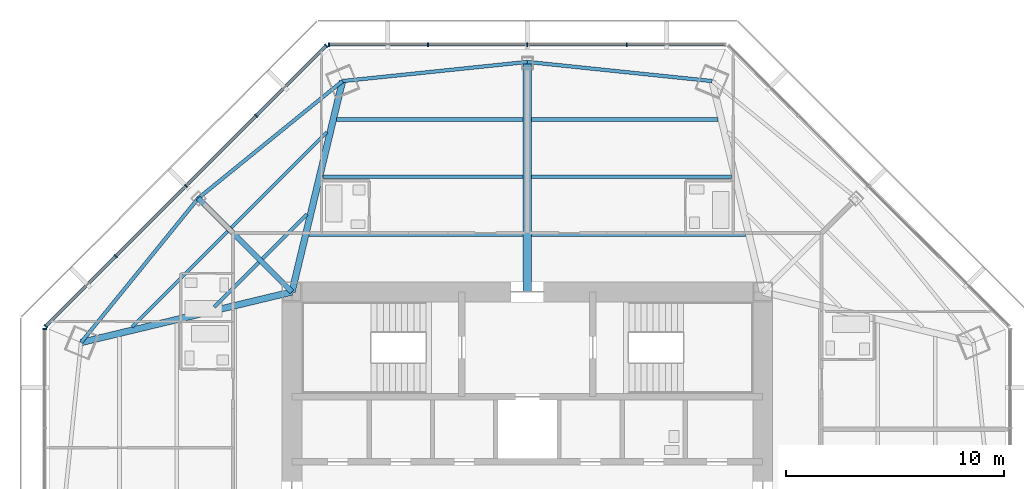
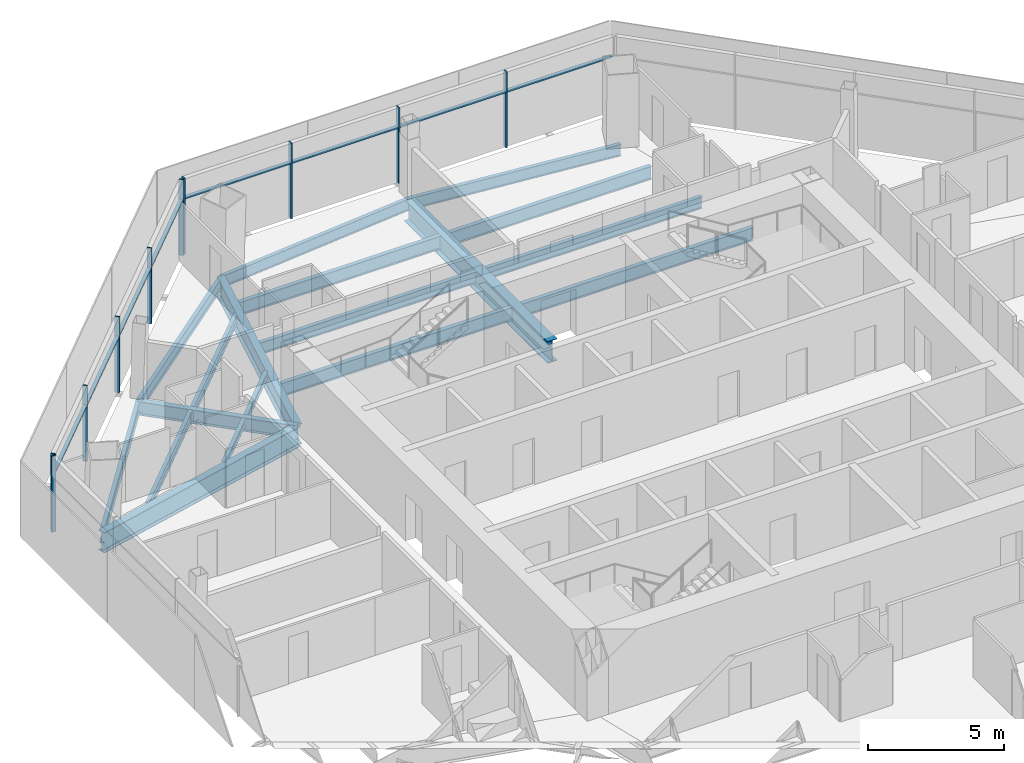
# One storey, part 5 of 15: 18 beams, 18 members, 3 elements without a shape of their own.
"""IFC4 building model written with IfcOpenShell, lengths in metres."""

from ifc_helpers import new_model, si_unit, direction, frame, origin, origin_2d, place, context, subcontext, project, spatial, rectangle, i_section, extrude, source, transform, mapped, material, material_profile, profile_set, type_object, type_shapes, element, aggregate, save


model = new_model("IFC4")

# Units and contexts
model_context = context("Model", 3, precision=1e-05, world=origin(), true_north=direction((0.0, 1.0)))
body_context = subcontext(model_context, "Body", "Model", "MODEL_VIEW")
ifc_project = project(units=[si_unit("LENGTHUNIT", "METRE"), si_unit("AREAUNIT", "SQUARE_METRE"), si_unit("VOLUMEUNIT", "CUBIC_METRE"), si_unit("PLANEANGLEUNIT", "RADIAN"), si_unit("MASSUNIT", "GRAM", prefix="KILO")], contexts=[model_context])

# Site, building, storey
site_placement = place(None, origin())
site = spatial("IfcSite", under=ifc_project, at=site_placement, CompositionType="ELEMENT")
building_placement = place(site_placement, origin())
building = spatial("IfcBuilding", under=site, at=building_placement, Name="Mashrafa Tower", CompositionType="ELEMENT")
storey_placement = place(building_placement, frame((0.0, 0.0, 207.39990234375)))
storey = spatial("IfcBuildingStorey", under=building, at=storey_placement, Name="L47", CompositionType="ELEMENT", Elevation=207.39990234375)

# Beams
ifc_material_1 = material(Name="Steel ASTM A992", Category="steel")
ifc_material_profile_1 = material_profile(ifc_material_1, i_section(OverallWidth=0.164794921875, OverallDepth=0.309814453125, WebThickness=0.005859375, FlangeThickness=0.009765625, FilletRadius=0.007568359375, at=origin_2d()), Name="W12X26")
ifc_profile_set_1 = profile_set([ifc_material_profile_1], Name="Steel ASTM A992")
beam_type_1 = type_object("IfcBeamType", Name="Beam W12X26", PredefinedType="BEAM", material=ifc_profile_set_1)
for number, where, z_axis, x_axis, name in (
    (1, (-14.36328125, 10.1025390625, -0.354736328125), (0.707064662666, 0.707148897198, 0.0), (-0.707148897198, 0.707064662666, 0.0), "Floor beam L47 006"),
    (2, (-12.152099609375, 12.31396484375, -0.354736328125), (0.707148897198, 0.707064662666, 0.0), (-0.707064662666, 0.707148897198, 0.0), "Floor beam L47 012"),
):
    element("IfcBeam", number, at=place(storey_placement, frame(where, z_axis=z_axis, x_axis=x_axis)), inside=storey, type_object=beam_type_1, Name=name, PredefinedType="BEAM", context=body_context, shape_type="SweptSolid", body=[
        extrude(i_section(OverallWidth=0.164794921875, OverallDepth=0.309814453125, WebThickness=0.005859375, FlangeThickness=0.009765625, FilletRadius=0.007568359375, at=origin_2d()), origin(), (0.0, 0.0, 1.0), 2.8984375),
    ])
ifc_material_2 = material(Name="Steel ASTM A992", Category="steel")
ifc_material_profile_2 = material_profile(ifc_material_2, i_section(OverallWidth=0.15234375, OverallDepth=0.449462890625, WebThickness=0.007568359375, FlangeThickness=0.0107421875, FilletRadius=0.01025390625, at=origin_2d()), Name="W18X35")
ifc_profile_set_2 = profile_set([ifc_material_profile_2], Name="Steel ASTM A992")
beam_type_2 = type_object("IfcBeamType", Name="Beam W18X35", PredefinedType="BEAM", material=ifc_profile_set_2)
for number, where, z_axis, x_axis, name in (
    (3, (-18.133056640625, 9.19921875, -0.4248046875), (0.707106781187, 0.707106781187, 0.0), (-0.707106781187, 0.707106781187, 0.0), "Floor beam L47 003"),
    (4, (-13.585205078125, 13.7470703125, -0.4248046875), (0.707106781187, 0.707106781187, 0.0), (-0.707106781187, 0.707106781187, 0.0), "Floor beam L47 008"),
):
    element("IfcBeam", number, at=place(storey_placement, frame(where, z_axis=z_axis, x_axis=x_axis)), inside=storey, type_object=beam_type_2, Name=name, PredefinedType="BEAM", context=body_context, shape_type="SweptSolid", body=[
        extrude(i_section(OverallWidth=0.15234375, OverallDepth=0.449462890625, WebThickness=0.007568359375, FlangeThickness=0.0107421875, FilletRadius=0.01025390625, at=origin_2d()), origin(), (0.0, 0.0, 1.0), 6.20263671875),
    ])
ifc_material_3 = material(Name="Steel ASTM A992", Category="steel")
ifc_material_profile_3 = material_profile(ifc_material_3, i_section(OverallWidth=0.1650390625, OverallDepth=0.52587890625, WebThickness=0.0087890625, FlangeThickness=0.011474609375, FilletRadius=0.0126953125, at=origin_2d()), Name="W21X44")
ifc_profile_set_3 = profile_set([ifc_material_profile_3], Name="Steel ASTM A992")
beam_type_3 = type_object("IfcBeamType", Name="Beam W21X44", PredefinedType="BEAM", material=ifc_profile_set_3)
for number, where, z_axis, x_axis, name in (
    (5, (-9.378662109375, 16.07666015625, -0.462890625), (1.0, 0.0, 0.0), (0.0, 1.0, 0.0), "Floor beam L47 015"),
    (6, (0.20068359375, 16.07666015625, -0.462890625), (1.0, 0.0, 0.0), (0.0, 1.0, 0.0), "Floor beam L47 022"),
):
    element("IfcBeam", number, at=place(storey_placement, frame(where, z_axis=z_axis, x_axis=x_axis)), inside=storey, type_object=beam_type_3, Name=name, PredefinedType="BEAM", context=body_context, shape_type="SweptSolid", body=[
        extrude(i_section(OverallWidth=0.1650390625, OverallDepth=0.52587890625, WebThickness=0.0087890625, FlangeThickness=0.011474609375, FilletRadius=0.0126953125, at=origin_2d()), origin(), (0.0, 0.0, 1.0), 9.177978515625),
    ])
for number, where, z_axis, x_axis, name in (
    (7, (-15.09912109375, 15.09912109375, -0.462890625), (-0.630516085588, -0.7761761822, 0.0), (0.7761761822, -0.630516085588, 0.0), "Spandrel beam L47 061"),
    (8, (-8.481201171875, 20.47509765625, -0.462890625), (-0.7761761822, -0.630516085588, 0.0), (0.630516085588, -0.7761761822, 0.0), "Spandrel beam L47 063"),
):
    element("IfcBeam", number, at=place(storey_placement, frame(where, z_axis=z_axis, x_axis=x_axis)), inside=storey, type_object=beam_type_3, Name=name, PredefinedType="BEAM", context=body_context, shape_type="SweptSolid", body=[
        extrude(i_section(OverallWidth=0.1650390625, OverallDepth=0.52587890625, WebThickness=0.0087890625, FlangeThickness=0.011474609375, FilletRadius=0.0126953125, at=origin_2d()), origin(), (0.0, 0.0, 1.0), 8.5263671875),
    ])
for number, where, z_axis, x_axis, name in (
    (9, (0.0, 21.353271484375, -0.462890625), (-0.994682087869, -0.102992932153, 0.0), (0.102992932153, -0.994682087869, 0.0), "Spandrel beam L47 065"),
    (10, (8.481201171875, 20.47509765625, -0.462890625), (-0.994682087869, 0.102992932153, 0.0), (-0.102992932153, -0.994682087869, 0.0), "Spandrel beam L47 067"),
):
    element("IfcBeam", number, at=place(storey_placement, frame(where, z_axis=z_axis, x_axis=x_axis)), inside=storey, type_object=beam_type_3, Name=name, PredefinedType="BEAM", context=body_context, shape_type="SweptSolid", body=[
        extrude(i_section(OverallWidth=0.1650390625, OverallDepth=0.52587890625, WebThickness=0.0087890625, FlangeThickness=0.011474609375, FilletRadius=0.0126953125, at=origin_2d()), origin(), (0.0, 0.0, 1.0), 8.526611328125),
    ])
ifc_material_4 = material(Name="Steel ASTM A992", Category="steel")
ifc_material_profile_4 = material_profile(ifc_material_4, i_section(OverallWidth=0.177978515625, OverallDepth=0.599365234375, WebThickness=0.010009765625, FlangeThickness=0.012939453125, FilletRadius=0.012939453125, at=origin_2d()), Name="W24X55")
ifc_profile_set_4 = profile_set([ifc_material_profile_4], Name="Steel ASTM A992")
beam_type_4 = type_object("IfcBeamType", Name="Beam W24X55", PredefinedType="BEAM", material=ifc_profile_set_4)
beam_1_placement = place(storey_placement, frame((-10.010986328125, 13.438232421875, -0.49951171875), z_axis=(1.0, 0.0, 0.0), x_axis=(0.0, 1.0, 0.0)))
element("IfcBeam", 11, at=beam_1_placement, inside=storey, type_object=beam_type_4, Name="Floor beam L47 013", PredefinedType="BEAM", context=body_context, shape_type="SweptSolid", body=[
    extrude(i_section(OverallWidth=0.177978515625, OverallDepth=0.599365234375, WebThickness=0.010009765625, FlangeThickness=0.012939453125, FilletRadius=0.012939453125, at=origin_2d()), origin(), (0.0, 0.0, 1.0), 9.810302734375),
])
beam_2_placement = place(storey_placement, frame((-8.746337890625, 18.715087890625, -0.49951171875), z_axis=(1.0, 0.0, 0.0), x_axis=(0.0, 1.0, 0.0)))
element("IfcBeam", 12, at=beam_2_placement, inside=storey, type_object=beam_type_4, Name="Floor beam L47 017", PredefinedType="BEAM", context=body_context, shape_type="SweptSolid", body=[
    extrude(i_section(OverallWidth=0.177978515625, OverallDepth=0.599365234375, WebThickness=0.010009765625, FlangeThickness=0.012939453125, FilletRadius=0.012939453125, at=origin_2d()), origin(), (0.0, 0.0, 1.0), 8.545654296875),
])
beam_3_placement = place(storey_placement, frame((0.20068359375, 13.438232421875, -0.49951171875), z_axis=(1.0, 0.0, 0.0), x_axis=(0.0, 1.0, 0.0)))
element("IfcBeam", 13, at=beam_3_placement, inside=storey, type_object=beam_type_4, Name="Floor beam L47 021", PredefinedType="BEAM", context=body_context, shape_type="SweptSolid", body=[
    extrude(i_section(OverallWidth=0.177978515625, OverallDepth=0.599365234375, WebThickness=0.010009765625, FlangeThickness=0.012939453125, FilletRadius=0.012939453125, at=origin_2d()), origin(), (0.0, 0.0, 1.0), 9.810302734375),
])
beam_4_placement = place(storey_placement, frame((0.20068359375, 18.715087890625, -0.49951171875), z_axis=(1.0, 0.0, 0.0), x_axis=(0.0, 1.0, 0.0)))
element("IfcBeam", 14, at=beam_4_placement, inside=storey, type_object=beam_type_4, Name="Floor beam L47 023", PredefinedType="BEAM", context=body_context, shape_type="SweptSolid", body=[
    extrude(i_section(OverallWidth=0.177978515625, OverallDepth=0.599365234375, WebThickness=0.010009765625, FlangeThickness=0.012939453125, FilletRadius=0.012939453125, at=origin_2d()), origin(), (0.0, 0.0, 1.0), 8.545654296875),
])
ifc_material_5 = material(Name="Steel ASTM A992", Category="steel")
ifc_material_profile_5 = material_profile(ifc_material_5, i_section(OverallWidth=0.22900390625, OverallDepth=0.612060546875, WebThickness=0.011962890625, FlangeThickness=0.01953125, FilletRadius=0.0126953125, at=origin_2d()), Name="W24X84")
ifc_profile_set_5 = profile_set([ifc_material_profile_5], Name="Steel ASTM A992")
beam_type_5 = type_object("IfcBeamType", Name="Beam W24X84", PredefinedType="BEAM", material=ifc_profile_set_5)
beam_5_placement = place(storey_placement, frame((-10.800048828125, 10.800048828125, -0.505859375), z_axis=(-0.707106781187, 0.707106781187, 0.0), x_axis=(-0.707106781187, -0.707106781187, 0.0)))
element("IfcBeam", 15, at=beam_5_placement, inside=storey, type_object=beam_type_5, Name="Radial girder L47 046", PredefinedType="BEAM", context=body_context, shape_type="SweptSolid", body=[
    extrude(i_section(OverallWidth=0.22900390625, OverallDepth=0.612060546875, WebThickness=0.011962890625, FlangeThickness=0.01953125, FilletRadius=0.0126953125, at=origin_2d()), origin(), (0.0, 0.0, 1.0), 6.079833984375),
])
ifc_material_6 = material(Name="Steel ASTM A992", Category="steel")
ifc_material_profile_6 = material_profile(ifc_material_6, i_section(OverallWidth=0.3046875, OverallDepth=0.911865234375, WebThickness=0.015869140625, FlangeThickness=0.02392578125, FilletRadius=0.01904296875, at=origin_2d()), Name="W36X150")
ifc_profile_set_6 = profile_set([ifc_material_profile_6], Name="Steel ASTM A992")
beam_type_6 = type_object("IfcBeamType", Name="Beam W36X150", PredefinedType="BEAM", material=ifc_profile_set_6)
for number, where, z_axis, x_axis, name in (
    (16, (-10.800048828125, 10.800048828125, -0.65576171875), (-0.972459424898, -0.233072235426, 0.0), (0.233072235426, -0.972459424898, 0.0), "Radial girder L47 045"),
    (17, (-10.800048828125, 10.800048828125, -0.65576171875), (0.233072235426, 0.972459424898, 0.0), (-0.972459424898, 0.233072235426, 0.0), "Radial girder L47 047"),
):
    element("IfcBeam", number, at=place(storey_placement, frame(where, z_axis=z_axis, x_axis=x_axis)), inside=storey, type_object=beam_type_6, Name=name, PredefinedType="BEAM", context=body_context, shape_type="SweptSolid", body=[
        extrude(i_section(OverallWidth=0.3046875, OverallDepth=0.911865234375, WebThickness=0.015869140625, FlangeThickness=0.02392578125, FilletRadius=0.01904296875, at=origin_2d()), origin(), (0.0, 0.0, 1.0), 9.948974609375),
    ])
ifc_material_7 = material(Name="Steel ASTM A992", Category="steel")
ifc_material_profile_7 = material_profile(ifc_material_7, i_section(OverallWidth=0.4013671875, OverallDepth=0.98291015625, WebThickness=0.0166015625, FlangeThickness=0.027099609375, FilletRadius=0.0126953125, at=origin_2d()), Name="W40X199")
ifc_profile_set_7 = profile_set([ifc_material_profile_7], Name="Steel ASTM A992")
beam_type_7 = type_object("IfcBeamType", Name="Beam W40X199", PredefinedType="BEAM", material=ifc_profile_set_7)
beam_6_placement = place(storey_placement, frame((0.0, 10.800048828125, -0.69140625), z_axis=(0.0, 1.0, 0.0), x_axis=(-1.0, 0.0, 0.0)))
element("IfcBeam", 18, at=beam_6_placement, inside=storey, type_object=beam_type_7, Name="Radial girder L47 049", PredefinedType="BEAM", context=body_context, shape_type="SweptSolid", body=[
    extrude(i_section(OverallWidth=0.4013671875, OverallDepth=0.98291015625, WebThickness=0.0166015625, FlangeThickness=0.027099609375, FilletRadius=0.0126953125, at=origin_2d()), origin(), (0.0, 0.0, 1.0), 10.55322265625),
])

# Curtain wall, members
ifc_material_8 = material(Name="Unitised aluminium curtain wall", Category="aluminium")
curtain_wall_type = type_object("IfcCurtainWallType", Name="Apartment curtain wall, zone 3 CW-C 180 deep", PredefinedType="NOTDEFINED", material=ifc_material_8)
curtain_wall_1_placement = place(storey_placement, origin())
curtain_wall_1 = element("IfcCurtainWall", 19, at=curtain_wall_1_placement, inside=storey, type_object=curtain_wall_type, Name="Apartment curtain wall, zone 3 L47 north", PredefinedType="NOTDEFINED")
ifc_material_9 = material(Name="Extruded aluminium mullion", Category="aluminium")
ifc_material_profile_8 = material_profile(ifc_material_9, rectangle(XDim=0.179931640625, YDim=0.06005859375, at=origin_2d()), Name="Mullion 60x180")
ifc_profile_set_8 = profile_set([ifc_material_profile_8], Name="Extruded aluminium mullion")
member_type_1 = type_object("IfcMemberType", Name="Mullion CW-C 60 x 180", PredefinedType="MULLION", material=ifc_profile_set_8)
shared_shape_1 = source(origin(), body_context, "Body", "SweptSolid", [
    extrude(rectangle(XDim=0.179931640625, YDim=0.06005859375, at=origin_2d()), origin(), (0.0, 0.0, 1.0), 3.400146484375),
])
type_shapes(member_type_1, [shared_shape_1])
member_1_placement = place(storey_placement, frame((4.563232421875, 22.147705078125, 0.0), z_axis=(0.0, 0.0, 1.0), x_axis=(0.0, -1.0, 0.0)))
member_1 = element("IfcMember", 20, at=member_1_placement, type_object=member_type_1, Name="CW-C mullion 2", PredefinedType="MULLION", context=body_context, shape_type="MappedRepresentation", body=[
    mapped(shared_shape_1, transform((0.0, 0.0, 0.0))),
])
member_2_placement = place(storey_placement, frame((0.0, 22.147705078125, 0.0), z_axis=(0.0, 0.0, 1.0), x_axis=(0.0, -1.0, 0.0)))
member_2 = element("IfcMember", 21, at=member_2_placement, type_object=member_type_1, Name="CW-C mullion 3", PredefinedType="MULLION", context=body_context, shape_type="MappedRepresentation", body=[
    mapped(shared_shape_1, transform((0.0, 0.0, 0.0))),
])
member_3_placement = place(storey_placement, frame((-4.563232421875, 22.147705078125, 0.0), z_axis=(0.0, 0.0, 1.0), x_axis=(0.0, -1.0, 0.0)))
member_3 = element("IfcMember", 22, at=member_3_placement, type_object=member_type_1, Name="CW-C mullion 4", PredefinedType="MULLION", context=body_context, shape_type="MappedRepresentation", body=[
    mapped(shared_shape_1, transform((0.0, 0.0, 0.0))),
])
member_4_placement = place(storey_placement, frame((-9.0966796875, 22.147705078125, 0.0), z_axis=(0.0, 0.0, 1.0), x_axis=(0.0, -1.0, 0.0)))
member_4 = element("IfcMember", 23, at=member_4_placement, type_object=member_type_1, Name="CW-C mullion 5", PredefinedType="MULLION", context=body_context, shape_type="MappedRepresentation", body=[
    mapped(shared_shape_1, transform((0.0, 0.0, 0.0))),
])

curtain_wall_2_placement = place(storey_placement, origin())
curtain_wall_2 = element("IfcCurtainWall", 24, at=curtain_wall_2_placement, inside=storey, type_object=curtain_wall_type, Name="Apartment curtain wall, zone 3 L47 north-west", PredefinedType="NOTDEFINED")
member_5_placement = place(storey_placement, frame((-9.228515625, 22.093017578125, 0.0), z_axis=(0.0, 0.0, 1.0), x_axis=(0.707106781187, -0.707106781187, 0.0)))
member_5 = element("IfcMember", 25, at=member_5_placement, type_object=member_type_1, Name="CW-C mullion 1", PredefinedType="MULLION", context=body_context, shape_type="MappedRepresentation", body=[
    mapped(shared_shape_1, transform((0.0, 0.0, 0.0))),
])
member_6_placement = place(storey_placement, frame((-12.43408203125, 18.887451171875, 0.0), z_axis=(0.0, 0.0, 1.0), x_axis=(0.707106781187, -0.707106781187, 0.0)))
member_6 = element("IfcMember", 26, at=member_6_placement, type_object=member_type_1, Name="CW-C mullion 2", PredefinedType="MULLION", context=body_context, shape_type="MappedRepresentation", body=[
    mapped(shared_shape_1, transform((0.0, 0.0, 0.0))),
])
member_7_placement = place(storey_placement, frame((-15.66064453125, 15.66064453125, 0.0), z_axis=(0.0, 0.0, 1.0), x_axis=(0.707106781187, -0.707106781187, 0.0)))
member_7 = element("IfcMember", 27, at=member_7_placement, type_object=member_type_1, Name="CW-C mullion 3", PredefinedType="MULLION", context=body_context, shape_type="MappedRepresentation", body=[
    mapped(shared_shape_1, transform((0.0, 0.0, 0.0))),
])
member_8_placement = place(storey_placement, frame((-18.887451171875, 12.43408203125, 0.0), z_axis=(0.0, 0.0, 1.0), x_axis=(0.707106781187, -0.707106781187, 0.0)))
member_8 = element("IfcMember", 28, at=member_8_placement, type_object=member_type_1, Name="CW-C mullion 4", PredefinedType="MULLION", context=body_context, shape_type="MappedRepresentation", body=[
    mapped(shared_shape_1, transform((0.0, 0.0, 0.0))),
])
member_9_placement = place(storey_placement, frame((-22.093017578125, 9.228515625, 0.0), z_axis=(0.0, 0.0, 1.0), x_axis=(0.707106781187, -0.707106781187, 0.0)))
member_9 = element("IfcMember", 29, at=member_9_placement, type_object=member_type_1, Name="CW-C mullion 5", PredefinedType="MULLION", context=body_context, shape_type="MappedRepresentation", body=[
    mapped(shared_shape_1, transform((0.0, 0.0, 0.0))),
])

# Curtain wall, member
curtain_wall_3_placement = place(storey_placement, origin())
curtain_wall_3 = element("IfcCurtainWall", 30, at=curtain_wall_3_placement, inside=storey, type_object=curtain_wall_type, Name="Apartment curtain wall, zone 3 L47 west", PredefinedType="NOTDEFINED")
member_10_placement = place(storey_placement, frame((-22.147705078125, 9.0966796875, 0.0), z_axis=(0.0, 0.0, 1.0), x_axis=(1.0, 0.0, 0.0)))
member_10 = element("IfcMember", 31, at=member_10_placement, type_object=member_type_1, Name="CW-C mullion 1", PredefinedType="MULLION", context=body_context, shape_type="MappedRepresentation", body=[
    mapped(shared_shape_1, transform((0.0, 0.0, 0.0))),
])
aggregate(curtain_wall_3, [member_10])

# Member
ifc_material_10 = material(Name="Extruded aluminium transom", Category="aluminium")
ifc_material_profile_9 = material_profile(ifc_material_10, rectangle(XDim=0.14404296875, YDim=0.074951171875, at=origin_2d()), Name="Transom 75x144")
ifc_profile_set_9 = profile_set([ifc_material_profile_9], Name="Extruded aluminium transom")
member_type_2 = type_object("IfcMemberType", Name="Transom CW-C 75 x 144", PredefinedType="MULLION", material=ifc_profile_set_9)
shared_shape_2 = source(origin(), body_context, "Body", "SweptSolid", [
    extrude(rectangle(XDim=0.14404296875, YDim=0.074951171875, at=origin_2d()), origin(), (0.0, 0.0, 1.0), 4.473388671875),
])
member_11_placement = place(storey_placement, frame((9.066650390625, 22.147705078125, 2.5), z_axis=(-1.0, 0.0, 0.0), x_axis=(0.0, -1.0, 0.0)))
member_11 = element("IfcMember", 32, at=member_11_placement, type_object=member_type_2, Name="CW-C transom 1", PredefinedType="MULLION", context=body_context, shape_type="MappedRepresentation", body=[
    mapped(shared_shape_2, transform((0.0, 0.0, 0.0))),
])

member_12_placement = place(storey_placement, frame((-4.59326171875, 22.147705078125, 2.5), z_axis=(-1.0, 0.0, 0.0), x_axis=(0.0, -1.0, 0.0)))
member_12 = element("IfcMember", 33, at=member_12_placement, type_object=member_type_2, Name="CW-C transom 4", PredefinedType="MULLION", context=body_context, shape_type="MappedRepresentation", body=[
    mapped(shared_shape_2, transform((0.0, 0.0, 0.0))),
])

member_13_placement = place(storey_placement, frame((-9.249755859375, 22.07177734375, 2.5), z_axis=(-0.707106781187, -0.707106781187, 0.0), x_axis=(0.707106781187, -0.707106781187, 0.0)))
member_13 = element("IfcMember", 34, at=member_13_placement, type_object=member_type_2, Name="CW-C transom 1", PredefinedType="MULLION", context=body_context, shape_type="MappedRepresentation", body=[
    mapped(shared_shape_2, transform((0.0, 0.0, 0.0))),
])

member_14_placement = place(storey_placement, frame((-18.90869140625, 12.412841796875, 2.5), z_axis=(-0.707106781187, -0.707106781187, 0.0), x_axis=(0.707106781187, -0.707106781187, 0.0)))
member_14 = element("IfcMember", 35, at=member_14_placement, type_object=member_type_2, Name="CW-C transom 4", PredefinedType="MULLION", context=body_context, shape_type="MappedRepresentation", body=[
    mapped(shared_shape_2, transform((0.0, 0.0, 0.0))),
])

shared_shape_3 = source(origin(), body_context, "Body", "SweptSolid", [
    extrude(rectangle(XDim=0.14404296875, YDim=0.074951171875, at=origin_2d()), origin(), (0.0, 0.0, 1.0), 4.503173828125),
])
member_15_placement = place(storey_placement, frame((4.533203125, 22.147705078125, 2.5), z_axis=(-1.0, 0.0, 0.0), x_axis=(0.0, -1.0, 0.0)))
member_15 = element("IfcMember", 36, at=member_15_placement, type_object=member_type_2, Name="CW-C transom 2", PredefinedType="MULLION", context=body_context, shape_type="MappedRepresentation", body=[
    mapped(shared_shape_3, transform((0.0, 0.0, 0.0))),
])

member_16_placement = place(storey_placement, frame((-0.030029296875, 22.147705078125, 2.5), z_axis=(-1.0, 0.0, 0.0), x_axis=(0.0, -1.0, 0.0)))
member_16 = element("IfcMember", 37, at=member_16_placement, type_object=member_type_2, Name="CW-C transom 3", PredefinedType="MULLION", context=body_context, shape_type="MappedRepresentation", body=[
    mapped(shared_shape_3, transform((0.0, 0.0, 0.0))),
])

aggregate(curtain_wall_1, [member_1, member_2, member_3, member_4, member_11, member_15, member_16, member_12])

shared_shape_4 = source(origin(), body_context, "Body", "SweptSolid", [
    extrude(rectangle(XDim=0.14404296875, YDim=0.074951171875, at=origin_2d()), origin(), (0.0, 0.0, 1.0), 4.50341796875),
])
type_shapes(member_type_2, [shared_shape_2, shared_shape_3, shared_shape_4])
member_17_placement = place(storey_placement, frame((-12.455322265625, 18.8662109375, 2.5), z_axis=(-0.707106781187, -0.707106781187, 0.0), x_axis=(0.707106781187, -0.707106781187, 0.0)))
member_17 = element("IfcMember", 38, at=member_17_placement, type_object=member_type_2, Name="CW-C transom 2", PredefinedType="MULLION", context=body_context, shape_type="MappedRepresentation", body=[
    mapped(shared_shape_4, transform((0.0, 0.0, 0.0))),
])

member_18_placement = place(storey_placement, frame((-15.681884765625, 15.6396484375, 2.5), z_axis=(-0.707106781187, -0.707106781187, 0.0), x_axis=(0.707106781187, -0.707106781187, 0.0)))
member_18 = element("IfcMember", 39, at=member_18_placement, type_object=member_type_2, Name="CW-C transom 3", PredefinedType="MULLION", context=body_context, shape_type="MappedRepresentation", body=[
    mapped(shared_shape_4, transform((0.0, 0.0, 0.0))),
])

aggregate(curtain_wall_2, [member_5, member_6, member_7, member_8, member_9, member_13, member_17, member_18, member_14])

save(model, "model.ifc")
